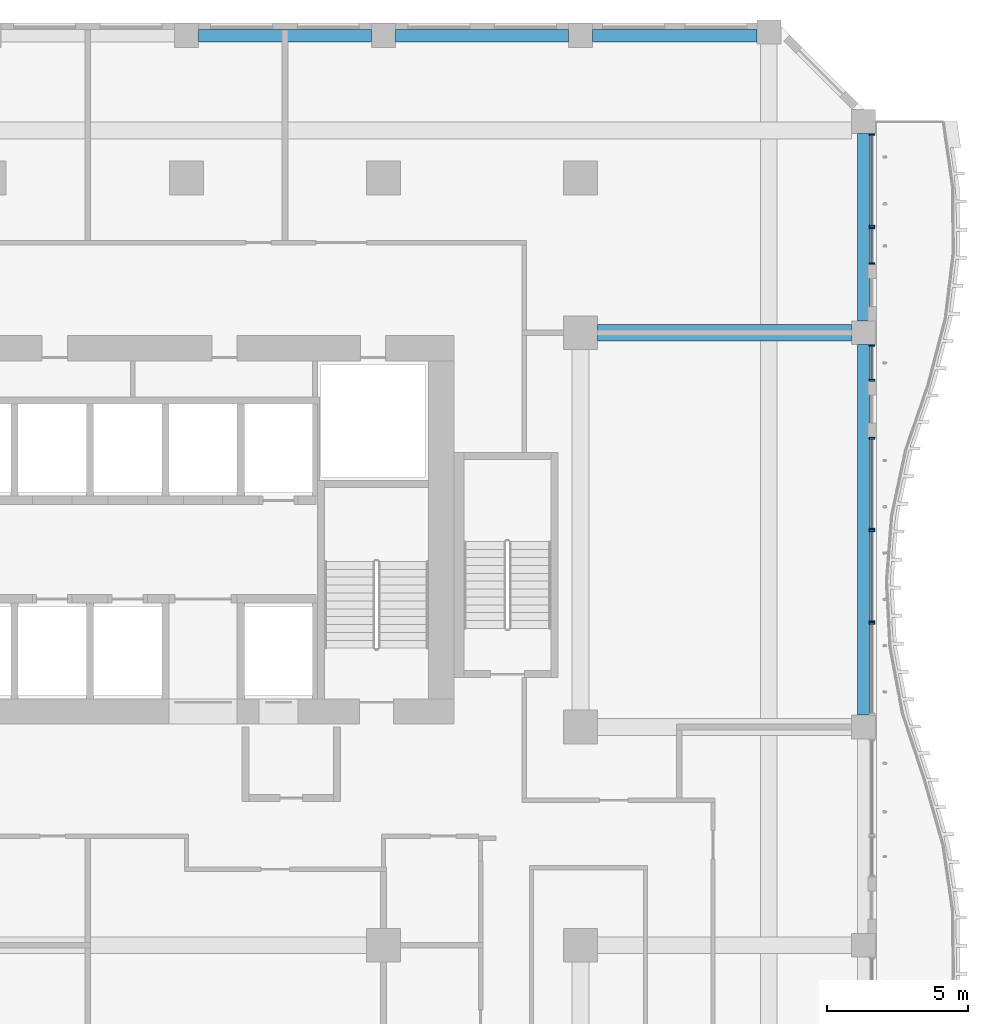
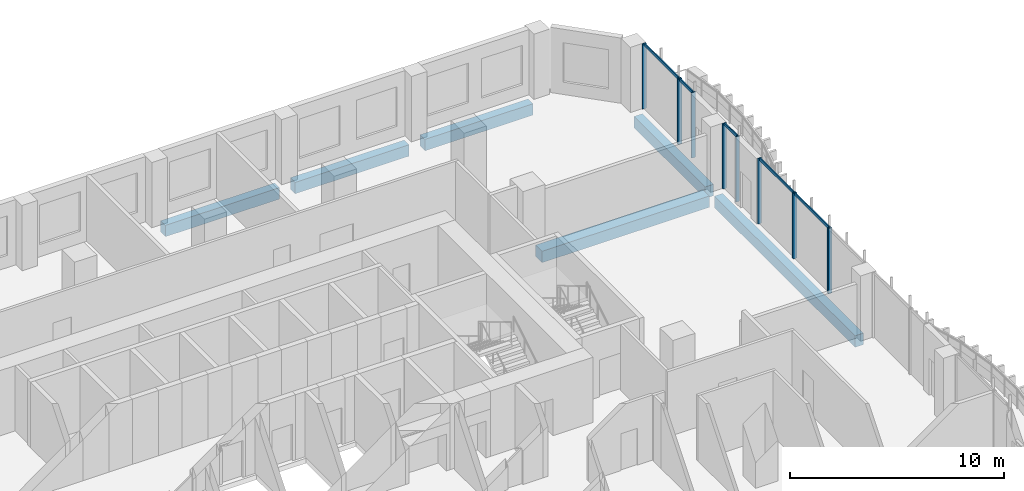
# One storey, part 10 of 27: 16 members, 6 beams, 6 elements without a shape of their own.
"""IFC4 building model written with IfcOpenShell, lengths in metres."""

from ifc_helpers import new_model, si_unit, direction, frame, origin, origin_2d, place, context, subcontext, project, spatial, rectangle, extrude, source, transform, mapped, material, material_profile, profile_set, type_object, element, aggregate, save


model = new_model("IFC4")

# Units and contexts
model_context = context("Model", 3, precision=1e-05, world=origin(), true_north=direction((0.0, 1.0)))
body_context = subcontext(model_context, "Body", "Model", "MODEL_VIEW")
ifc_project = project(units=[si_unit("LENGTHUNIT", "METRE"), si_unit("AREAUNIT", "SQUARE_METRE"), si_unit("VOLUMEUNIT", "CUBIC_METRE"), si_unit("PLANEANGLEUNIT", "RADIAN"), si_unit("MASSUNIT", "GRAM", prefix="KILO")], contexts=[model_context])

# Site, building, storey
site_placement = place(None, origin())
site = spatial("IfcSite", under=ifc_project, at=site_placement, CompositionType="ELEMENT")
building_placement = place(site_placement, origin())
building = spatial("IfcBuilding", under=site, at=building_placement, Name="Kilnfold Tower and Market Hall", CompositionType="ELEMENT")
storey_placement = place(building_placement, frame((0.0, 0.0, 116.60009765625)))
storey = spatial("IfcBuildingStorey", under=building, at=storey_placement, Name="L27", CompositionType="ELEMENT", Elevation=116.60009765625)

# Beams
ifc_material_1 = material(Name="Concrete C45", Category="concrete")
ifc_material_profile_1 = material_profile(ifc_material_1, rectangle(XDim=0.449951171875, YDim=0.64990234375, at=origin_2d()), Name="RC 450x650")
ifc_profile_set_1 = profile_set([ifc_material_profile_1], Name="Concrete C45")
beam_type_1 = type_object("IfcBeamType", Name="EDGE BEAM 450X650 C45", PredefinedType="BEAM", material=ifc_profile_set_1)
shared_shape_1 = source(origin(), body_context, "Body", "SweptSolid", [
    extrude(rectangle(XDim=0.449951171875, YDim=0.64990234375, at=origin_2d()), origin(), (0.0, 0.0, 1.0), 6.14990234375),
])
for number, where, z_axis, x_axis, name in (
    (1, (8.925048828125, 32.550048828125, -0.60498046875), (1.0, 0.0, 0.0), (0.0, 1.0, 0.0), "Beam EB650-B3.71"),
    (2, (15.925048828125, 32.550048828125, -0.60498046875), (1.0, 0.0, 0.0), (0.0, 1.0, 0.0), "Beam EB650-B3.72"),
):
    element("IfcBeam", number, at=place(storey_placement, frame(where, z_axis=z_axis, x_axis=x_axis)), inside=storey, type_object=beam_type_1, Name=name, PredefinedType="BEAM", context=body_context, shape_type="MappedRepresentation", body=[
        mapped(shared_shape_1, transform((0.0, 0.0, 0.0))),
    ])
ifc_material_2 = material(Name="Concrete C45", Category="concrete")
ifc_material_profile_2 = material_profile(ifc_material_2, rectangle(XDim=0.60009765625, YDim=0.64990234375, at=origin_2d()), Name="RC 600x650")
ifc_profile_set_2 = profile_set([ifc_material_profile_2], Name="Concrete C45")
beam_type_2 = type_object("IfcBeamType", Name="BEAM 600X650 C45", PredefinedType="BEAM", material=ifc_profile_set_2)
shared_shape_2 = source(origin(), body_context, "Body", "SweptSolid", [
    extrude(rectangle(XDim=0.60009765625, YDim=0.64990234375, at=origin_2d()), origin(), (0.0, 0.0, 1.0), 9.02490234375),
])
beam_1_placement = place(storey_placement, frame((23.10009765625, 22.0, -0.60498046875), z_axis=(1.0, 0.0, 0.0), x_axis=(0.0, 1.0, 0.0)))
element("IfcBeam", 3, at=beam_1_placement, inside=storey, type_object=beam_type_2, Name="Beam BB650-B3.65", PredefinedType="BEAM", context=body_context, shape_type="MappedRepresentation", body=[
    mapped(shared_shape_2, transform((0.0, 0.0, 0.0))),
])
shared_shape_3 = source(origin(), body_context, "Body", "SweptSolid", [
    extrude(rectangle(XDim=0.449951171875, YDim=0.64990234375, at=origin_2d()), origin(), (0.0, 0.0, 1.0), 5.831787109375),
])
beam_2_placement = place(storey_placement, frame((22.925048828125, 32.550048828125, -0.60498046875), z_axis=(1.0, 0.0, 0.0), x_axis=(0.0, 1.0, 0.0)))
element("IfcBeam", 4, at=beam_2_placement, inside=storey, type_object=beam_type_1, Name="Beam EB650-B3.73", PredefinedType="BEAM", context=body_context, shape_type="MappedRepresentation", body=[
    mapped(shared_shape_3, transform((0.0, 0.0, 0.0))),
])
shared_shape_4 = source(origin(), body_context, "Body", "SweptSolid", [
    extrude(rectangle(XDim=0.449951171875, YDim=0.64990234375, at=origin_2d()), origin(), (0.0, 0.0, 1.0), 13.14990234375),
])
beam_3_placement = place(storey_placement, frame((32.550048828125, 8.425048828125, -0.60498046875), z_axis=(0.0, 1.0, 0.0), x_axis=(-1.0, 0.0, 0.0)))
element("IfcBeam", 5, at=beam_3_placement, inside=storey, type_object=beam_type_1, Name="Beam EB650-B3.86", PredefinedType="BEAM", context=body_context, shape_type="MappedRepresentation", body=[
    mapped(shared_shape_4, transform((0.0, 0.0, 0.0))),
])
shared_shape_5 = source(origin(), body_context, "Body", "SweptSolid", [
    extrude(rectangle(XDim=0.449951171875, YDim=0.64990234375, at=origin_2d()), origin(), (0.0, 0.0, 1.0), 6.64990234375),
])
beam_4_placement = place(storey_placement, frame((32.550048828125, 22.425048828125, -0.60498046875), z_axis=(0.0, 1.0, 0.0), x_axis=(-1.0, 0.0, 0.0)))
element("IfcBeam", 6, at=beam_4_placement, inside=storey, type_object=beam_type_1, Name="Beam EB650-B3.87", PredefinedType="BEAM", context=body_context, shape_type="MappedRepresentation", body=[
    mapped(shared_shape_5, transform((0.0, 0.0, 0.0))),
])

# Curtain wall, member
ifc_material_3 = material(Name="Aluminium and double glazing", Category="aluminium")
curtain_wall_type = type_object("IfcCurtainWallType", Name="CW OF2 VALLEY GLAZING", PredefinedType="NOTDEFINED", material=ifc_material_3)
curtain_wall_1_placement = place(storey_placement, origin())
curtain_wall_1 = element("IfcCurtainWall", 7, at=curtain_wall_1_placement, inside=storey, type_object=curtain_wall_type, Name="Curtain wall CW2 L27 E", PredefinedType="NOTDEFINED")
ifc_material_4 = material(Name="Aluminium", Category="aluminium")
ifc_material_profile_3 = material_profile(ifc_material_4, rectangle(XDim=0.06005859375, YDim=0.199951171875, at=origin_2d()), Name="MULLION 60x200")
ifc_profile_set_3 = profile_set([ifc_material_profile_3], Name="Aluminium")
member_type_1 = type_object("IfcMemberType", Name="MULLION 60X200", PredefinedType="MULLION", material=ifc_profile_set_3)
shared_shape_6 = source(origin(), body_context, "Body", "SweptSolid", [
    extrude(rectangle(XDim=0.06005859375, YDim=0.199951171875, at=origin_2d()), origin(), (0.0, 0.0, 1.0), 3.719970703125),
])
member_1_placement = place(storey_placement, frame((32.85009765625, 11.6826171875, 0.0), z_axis=(0.0, 0.0, 1.0), x_axis=(0.0, 1.0, 0.0)))
member_1 = element("IfcMember", 8, at=member_1_placement, type_object=member_type_1, Name="CW2 mullion 2", PredefinedType="MULLION", context=body_context, shape_type="MappedRepresentation", body=[
    mapped(shared_shape_6, transform((0.0, 0.0, 0.0))),
])
aggregate(curtain_wall_1, [member_1])

# Curtain wall, members
curtain_wall_2_placement = place(storey_placement, origin())
curtain_wall_2 = element("IfcCurtainWall", 9, at=curtain_wall_2_placement, inside=storey, type_object=curtain_wall_type, Name="Curtain wall CW2 L27 E", PredefinedType="NOTDEFINED")
member_2_placement = place(storey_placement, frame((32.85009765625, 11.742431640625, 0.0), z_axis=(0.0, 0.0, 1.0), x_axis=(0.0, 1.0, 0.0)))
member_2 = element("IfcMember", 10, at=member_2_placement, type_object=member_type_1, Name="CW2 mullion 1", PredefinedType="MULLION", context=body_context, shape_type="MappedRepresentation", body=[
    mapped(shared_shape_6, transform((0.0, 0.0, 0.0))),
])
member_3_placement = place(storey_placement, frame((32.85009765625, 14.969970703125, 0.0), z_axis=(0.0, 0.0, 1.0), x_axis=(0.0, 1.0, 0.0)))
member_3 = element("IfcMember", 11, at=member_3_placement, type_object=member_type_1, Name="CW2 mullion 2", PredefinedType="MULLION", context=body_context, shape_type="MappedRepresentation", body=[
    mapped(shared_shape_6, transform((0.0, 0.0, 0.0))),
])

curtain_wall_3_placement = place(storey_placement, origin())
curtain_wall_3 = element("IfcCurtainWall", 12, at=curtain_wall_3_placement, inside=storey, type_object=curtain_wall_type, Name="Curtain wall CW2 L27 E", PredefinedType="NOTDEFINED")
member_4_placement = place(storey_placement, frame((32.85009765625, 15.030029296875, 0.0), z_axis=(0.0, 0.0, 1.0), x_axis=(0.0, 1.0, 0.0)))
member_4 = element("IfcMember", 13, at=member_4_placement, type_object=member_type_1, Name="CW2 mullion 1", PredefinedType="MULLION", context=body_context, shape_type="MappedRepresentation", body=[
    mapped(shared_shape_6, transform((0.0, 0.0, 0.0))),
])
member_5_placement = place(storey_placement, frame((32.85009765625, 18.257568359375, 0.0), z_axis=(0.0, 0.0, 1.0), x_axis=(0.0, 1.0, 0.0)))
member_5 = element("IfcMember", 14, at=member_5_placement, type_object=member_type_1, Name="CW2 mullion 2", PredefinedType="MULLION", context=body_context, shape_type="MappedRepresentation", body=[
    mapped(shared_shape_6, transform((0.0, 0.0, 0.0))),
])

curtain_wall_4_placement = place(storey_placement, origin())
curtain_wall_4 = element("IfcCurtainWall", 15, at=curtain_wall_4_placement, inside=storey, type_object=curtain_wall_type, Name="Curtain wall CW2 L27 E", PredefinedType="NOTDEFINED")
member_6_placement = place(storey_placement, frame((32.85009765625, 20.3173828125, 0.0), z_axis=(0.0, 0.0, 1.0), x_axis=(0.0, 1.0, 0.0)))
member_6 = element("IfcMember", 16, at=member_6_placement, type_object=member_type_1, Name="CW2 mullion 1", PredefinedType="MULLION", context=body_context, shape_type="MappedRepresentation", body=[
    mapped(shared_shape_6, transform((0.0, 0.0, 0.0))),
])
member_7_placement = place(storey_placement, frame((32.85009765625, 21.544921875, 0.0), z_axis=(0.0, 0.0, 1.0), x_axis=(0.0, 1.0, 0.0)))
member_7 = element("IfcMember", 17, at=member_7_placement, type_object=member_type_1, Name="CW2 mullion 2", PredefinedType="MULLION", context=body_context, shape_type="MappedRepresentation", body=[
    mapped(shared_shape_6, transform((0.0, 0.0, 0.0))),
])

curtain_wall_5_placement = place(storey_placement, origin())
curtain_wall_5 = element("IfcCurtainWall", 18, at=curtain_wall_5_placement, inside=storey, type_object=curtain_wall_type, Name="Curtain wall CW2 L27 E", PredefinedType="NOTDEFINED")
member_8_placement = place(storey_placement, frame((32.85009765625, 24.455078125, 0.0), z_axis=(0.0, 0.0, 1.0), x_axis=(0.0, 1.0, 0.0)))
member_8 = element("IfcMember", 19, at=member_8_placement, type_object=member_type_1, Name="CW2 mullion 1", PredefinedType="MULLION", context=body_context, shape_type="MappedRepresentation", body=[
    mapped(shared_shape_6, transform((0.0, 0.0, 0.0))),
])
member_9_placement = place(storey_placement, frame((32.85009765625, 25.719970703125, 0.0), z_axis=(0.0, 0.0, 1.0), x_axis=(0.0, 1.0, 0.0)))
member_9 = element("IfcMember", 20, at=member_9_placement, type_object=member_type_1, Name="CW2 mullion 2", PredefinedType="MULLION", context=body_context, shape_type="MappedRepresentation", body=[
    mapped(shared_shape_6, transform((0.0, 0.0, 0.0))),
])

curtain_wall_6_placement = place(storey_placement, origin())
curtain_wall_6 = element("IfcCurtainWall", 21, at=curtain_wall_6_placement, inside=storey, type_object=curtain_wall_type, Name="Curtain wall CW2 L27 E", PredefinedType="NOTDEFINED")
member_10_placement = place(storey_placement, frame((32.85009765625, 25.780029296875, 0.0), z_axis=(0.0, 0.0, 1.0), x_axis=(0.0, 1.0, 0.0)))
member_10 = element("IfcMember", 22, at=member_10_placement, type_object=member_type_1, Name="CW2 mullion 1", PredefinedType="MULLION", context=body_context, shape_type="MappedRepresentation", body=[
    mapped(shared_shape_6, transform((0.0, 0.0, 0.0))),
])
member_11_placement = place(storey_placement, frame((32.85009765625, 29.044921875, 0.0), z_axis=(0.0, 0.0, 1.0), x_axis=(0.0, 1.0, 0.0)))
member_11 = element("IfcMember", 23, at=member_11_placement, type_object=member_type_1, Name="CW2 mullion 2", PredefinedType="MULLION", context=body_context, shape_type="MappedRepresentation", body=[
    mapped(shared_shape_6, transform((0.0, 0.0, 0.0))),
])

# Member
ifc_material_5 = material(Name="Aluminium", Category="aluminium")
ifc_material_profile_4 = material_profile(ifc_material_5, rectangle(XDim=0.06005859375, YDim=0.159912109375, at=origin_2d()), Name="TRANSOM 60x160")
ifc_profile_set_4 = profile_set([ifc_material_profile_4], Name="Aluminium")
member_type_2 = type_object("IfcMemberType", Name="TRANSOM 60X160", PredefinedType="USERDEFINED", material=ifc_profile_set_4)
shared_shape_7 = source(origin(), body_context, "Body", "SweptSolid", [
    extrude(rectangle(XDim=0.06005859375, YDim=0.159912109375, at=origin_2d()), origin(), (0.0, 0.0, 1.0), 3.16748046875),
])
member_12_placement = place(storey_placement, frame((32.85009765625, 11.7724609375, 3.68994140625), z_axis=(0.0, 1.0, 0.0), x_axis=(-1.0, 0.0, 0.0)))
member_12 = element("IfcMember", 24, at=member_12_placement, type_object=member_type_2, Name="CW2 transom 1.2", ObjectType="TRANSOM", PredefinedType="USERDEFINED", context=body_context, shape_type="MappedRepresentation", body=[
    mapped(shared_shape_7, transform((0.0, 0.0, 0.0))),
])

aggregate(curtain_wall_2, [member_2, member_3, member_12])

member_13_placement = place(storey_placement, frame((32.85009765625, 15.06005859375, 3.68994140625), z_axis=(0.0, 1.0, 0.0), x_axis=(-1.0, 0.0, 0.0)))
member_13 = element("IfcMember", 25, at=member_13_placement, type_object=member_type_2, Name="CW2 transom 1.2", ObjectType="TRANSOM", PredefinedType="USERDEFINED", context=body_context, shape_type="MappedRepresentation", body=[
    mapped(shared_shape_7, transform((0.0, 0.0, 0.0))),
])

aggregate(curtain_wall_3, [member_4, member_5, member_13])

shared_shape_8 = source(origin(), body_context, "Body", "SweptSolid", [
    extrude(rectangle(XDim=0.06005859375, YDim=0.159912109375, at=origin_2d()), origin(), (0.0, 0.0, 1.0), 3.204833984375),
])
member_14_placement = place(storey_placement, frame((32.85009765625, 25.81005859375, 3.68994140625), z_axis=(0.0, 1.0, 0.0), x_axis=(-1.0, 0.0, 0.0)))
member_14 = element("IfcMember", 26, at=member_14_placement, type_object=member_type_2, Name="CW2 transom 1.2", ObjectType="TRANSOM", PredefinedType="USERDEFINED", context=body_context, shape_type="MappedRepresentation", body=[
    mapped(shared_shape_8, transform((0.0, 0.0, 0.0))),
])

aggregate(curtain_wall_6, [member_10, member_11, member_14])

shared_shape_9 = source(origin(), body_context, "Body", "SweptSolid", [
    extrude(rectangle(XDim=0.06005859375, YDim=0.159912109375, at=origin_2d()), origin(), (0.0, 0.0, 1.0), 1.16748046875),
])
member_15_placement = place(storey_placement, frame((32.85009765625, 20.347412109375, 3.68994140625), z_axis=(0.0, 1.0, 0.0), x_axis=(-1.0, 0.0, 0.0)))
member_15 = element("IfcMember", 27, at=member_15_placement, type_object=member_type_2, Name="CW2 transom 1.2", ObjectType="TRANSOM", PredefinedType="USERDEFINED", context=body_context, shape_type="MappedRepresentation", body=[
    mapped(shared_shape_9, transform((0.0, 0.0, 0.0))),
])

aggregate(curtain_wall_4, [member_6, member_7, member_15])

shared_shape_10 = source(origin(), body_context, "Body", "SweptSolid", [
    extrude(rectangle(XDim=0.06005859375, YDim=0.159912109375, at=origin_2d()), origin(), (0.0, 0.0, 1.0), 1.204833984375),
])
member_16_placement = place(storey_placement, frame((32.85009765625, 24.485107421875, 3.68994140625), z_axis=(0.0, 1.0, 0.0), x_axis=(-1.0, 0.0, 0.0)))
member_16 = element("IfcMember", 28, at=member_16_placement, type_object=member_type_2, Name="CW2 transom 1.2", ObjectType="TRANSOM", PredefinedType="USERDEFINED", context=body_context, shape_type="MappedRepresentation", body=[
    mapped(shared_shape_10, transform((0.0, 0.0, 0.0))),
])

aggregate(curtain_wall_5, [member_8, member_9, member_16])

save(model, "model.ifc")
